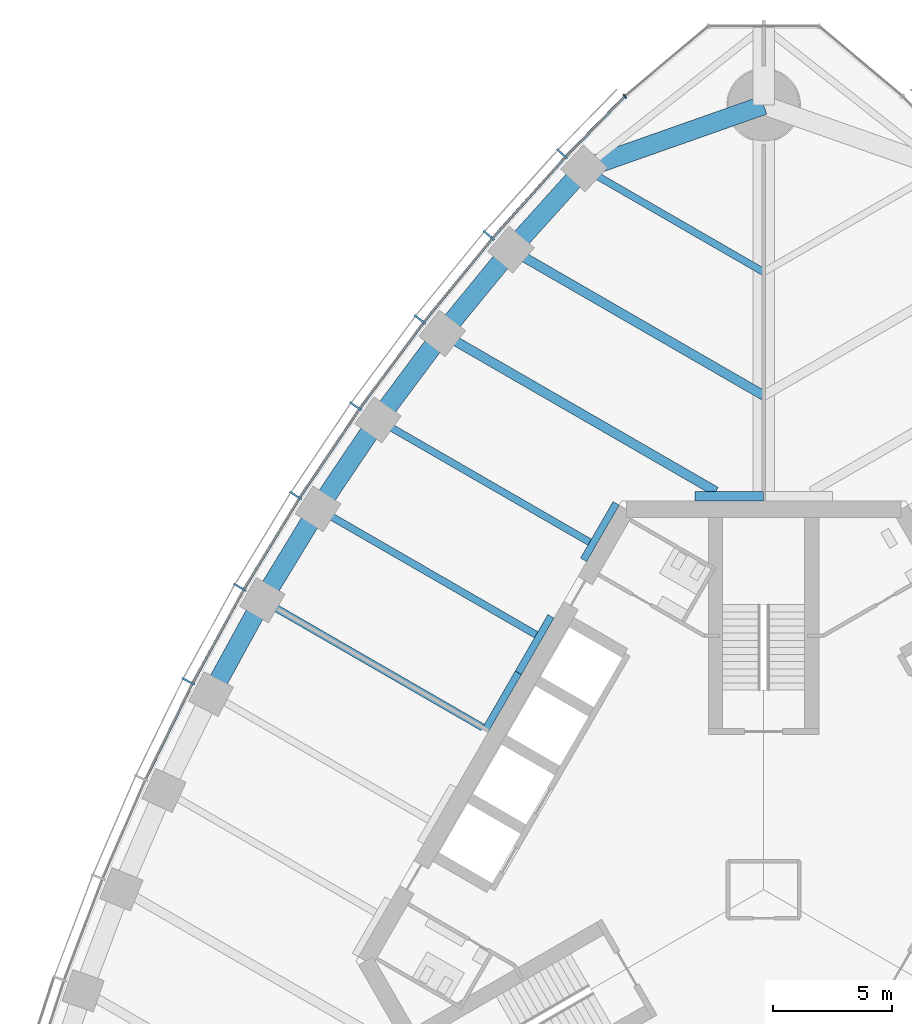
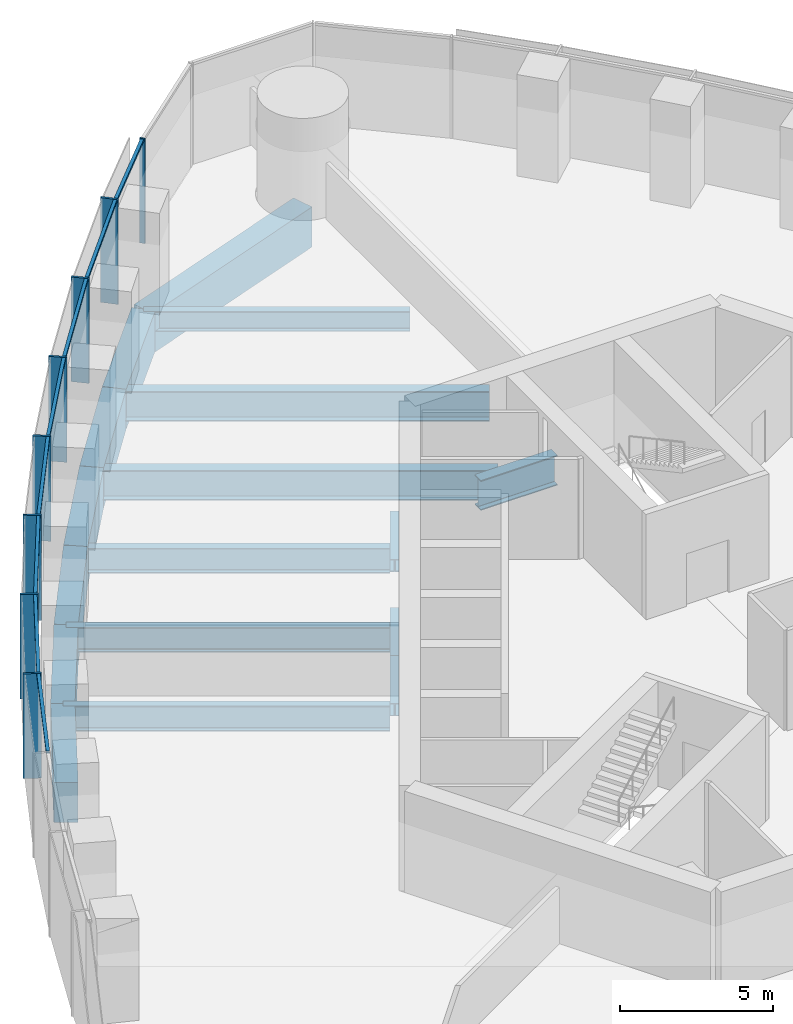
# One storey, part 5 of 18: 17 beams, 16 members, 2 elements without a shape of their own.
"""IFC4 building model written with IfcOpenShell, lengths in metres."""

from ifc_helpers import new_model, si_unit, direction, frame, origin, origin_2d, place, context, subcontext, project, spatial, rectangle, i_section, extrude, material, material_profile, profile_set, type_object, element, aggregate, save


model = new_model("IFC4")

# Units and contexts
model_context = context("Model", 3, precision=1e-05, world=origin(), true_north=direction((0.0, 1.0)))
body_context = subcontext(model_context, "Body", "Model", "MODEL_VIEW")
ifc_project = project(units=[si_unit("LENGTHUNIT", "METRE"), si_unit("AREAUNIT", "SQUARE_METRE"), si_unit("VOLUMEUNIT", "CUBIC_METRE"), si_unit("PLANEANGLEUNIT", "RADIAN"), si_unit("MASSUNIT", "GRAM", prefix="KILO")], contexts=[model_context])

# Site, building, storey
site_placement = place(None, origin())
site = spatial("IfcSite", under=ifc_project, at=site_placement, CompositionType="ELEMENT")
building_placement = place(site_placement, origin())
building = spatial("IfcBuilding", under=site, at=building_placement, Name="Trefoil Bronze Tower", CompositionType="ELEMENT")
storey_placement = place(building_placement, frame((0.0, 0.0, 252.699951171875)))
storey = spatial("IfcBuildingStorey", under=building, at=storey_placement, Name="L58", CompositionType="ELEMENT", Elevation=252.699951171875)

# Curtain wall, members
ifc_material_1 = material(Name="Tinted solar-control glass", Category="glass")
curtain_wall_type_1 = type_object("IfcCurtainWallType", Name="Bronze office curtain wall", PredefinedType="USERDEFINED", material=ifc_material_1)
curtain_wall_1_placement = place(storey_placement, origin())
curtain_wall_1 = element("IfcCurtainWall", 1, at=curtain_wall_1_placement, inside=storey, type_object=curtain_wall_type_1, Name="CW-A L58 F3", ObjectType="CURTAIN WALL", PredefinedType="USERDEFINED")
ifc_material_2 = material(Name="Bronze-finish aluminium", Category="aluminium")
ifc_material_profile_1 = material_profile(ifc_material_2, rectangle(XDim=0.60009765625, YDim=0.080078125, at=origin_2d()), Name="CW-A mullion")
ifc_profile_set_1 = profile_set([ifc_material_profile_1], Name="Bronze-finish aluminium")
member_type_1 = type_object("IfcMemberType", Name="Bronze office curtain wall mullion", PredefinedType="MULLION", material=ifc_profile_set_1)
member_1_placement = place(storey_placement, frame((-8.482177734375, 30.95654296875, 0.0), z_axis=(0.0, 0.0, 1.0), x_axis=(0.729859580661, -0.683597098091, 0.0)))
member_1 = element("IfcMember", 2, at=member_1_placement, type_object=member_type_1, Name="CW-A L58 F3 mullion 2", PredefinedType="MULLION", context=body_context, shape_type="SweptSolid", body=[
    extrude(rectangle(XDim=0.60009765625, YDim=0.080078125, at=origin_2d()), origin(), (0.0, 0.0, 1.0), 4.179931640625),
])
member_2_placement = place(storey_placement, frame((-11.564697265625, 27.525146484375, 0.0), z_axis=(0.0, 0.0, 1.0), x_axis=(0.75935470958, -0.650676897576, 0.0)))
member_2 = element("IfcMember", 3, at=member_2_placement, type_object=member_type_1, Name="CW-A L58 F3 mullion 3", PredefinedType="MULLION", context=body_context, shape_type="SweptSolid", body=[
    extrude(rectangle(XDim=0.60009765625, YDim=0.080078125, at=origin_2d()), origin(), (0.0, 0.0, 1.0), 4.179931640625),
])
member_3_placement = place(storey_placement, frame((-14.45849609375, 23.98388671875, 0.0), z_axis=(0.0, 0.0, 1.0), x_axis=(0.788821461078, -0.614622406476, 0.0)))
member_3 = element("IfcMember", 4, at=member_3_placement, type_object=member_type_1, Name="CW-A L58 F3 mullion 4", PredefinedType="MULLION", context=body_context, shape_type="SweptSolid", body=[
    extrude(rectangle(XDim=0.60009765625, YDim=0.080078125, at=origin_2d()), origin(), (0.0, 0.0, 1.0), 4.179931640625),
])
member_4_placement = place(storey_placement, frame((-17.167236328125, 20.335693359375, 0.0), z_axis=(0.0, 0.0, 1.0), x_axis=(0.81640398396, -0.577481198806, 0.0)))
member_4 = element("IfcMember", 5, at=member_4_placement, type_object=member_type_1, Name="CW-A L58 F3 mullion 5", PredefinedType="MULLION", context=body_context, shape_type="SweptSolid", body=[
    extrude(rectangle(XDim=0.60009765625, YDim=0.080078125, at=origin_2d()), origin(), (0.0, 0.0, 1.0), 4.179931640625),
])
member_5_placement = place(storey_placement, frame((-19.694091796875, 16.58251953125, 0.0), z_axis=(0.0, 0.0, 1.0), x_axis=(0.842132664593, -0.539270410114, 0.0)))
member_5 = element("IfcMember", 6, at=member_5_placement, type_object=member_type_1, Name="CW-A L58 F3 mullion 6", PredefinedType="MULLION", context=body_context, shape_type="SweptSolid", body=[
    extrude(rectangle(XDim=0.60009765625, YDim=0.080078125, at=origin_2d()), origin(), (0.0, 0.0, 1.0), 4.179931640625),
])
member_6_placement = place(storey_placement, frame((-22.041015625, 12.725341796875, 0.0), z_axis=(0.0, 0.0, 1.0), x_axis=(0.866025403784, -0.5, 0.0)))
member_6 = element("IfcMember", 7, at=member_6_placement, type_object=member_type_1, Name="CW-A L58 F3 mullion 7", PredefinedType="MULLION", context=body_context, shape_type="SweptSolid", body=[
    extrude(rectangle(XDim=0.60009765625, YDim=0.080078125, at=origin_2d()), origin(), (0.0, 0.0, 1.0), 4.179931640625),
])
member_7_placement = place(storey_placement, frame((-24.2080078125, 8.764404296875, 0.0), z_axis=(0.0, 0.0, 1.0), x_axis=(0.888088206965, -0.459673075837, 0.0)))
member_7 = element("IfcMember", 8, at=member_7_placement, type_object=member_type_1, Name="CW-A L58 F3 mullion 8", PredefinedType="MULLION", context=body_context, shape_type="SweptSolid", body=[
    extrude(rectangle(XDim=0.60009765625, YDim=0.080078125, at=origin_2d()), origin(), (0.0, 0.0, 1.0), 4.179931640625),
])
ifc_material_3 = material(Name="Bronze-finish aluminium", Category="aluminium")
ifc_material_profile_2 = material_profile(ifc_material_3, rectangle(XDim=0.1201171875, YDim=0.10009765625, at=origin_2d()), Name="CW-A transom")
ifc_profile_set_2 = profile_set([ifc_material_profile_2], Name="Bronze-finish aluminium")
member_type_2 = type_object("IfcMemberType", Name="Bronze office curtain wall transom", PredefinedType="USERDEFINED", material=ifc_profile_set_2)
member_8_placement = place(storey_placement, frame((-5.873046875, 33.342529296875, 4.130126953125), z_axis=(-0.698646935368, -0.715466602785, 0.0), x_axis=(0.715466602785, -0.698646935368, 0.0)))
member_8 = element("IfcMember", 9, at=member_8_placement, type_object=member_type_2, Name="CW-A L58 F3 transom 1", ObjectType="TRANSOM", PredefinedType="USERDEFINED", context=body_context, shape_type="SweptSolid", body=[
    extrude(rectangle(XDim=0.1201171875, YDim=0.10009765625, at=origin_2d()), origin(), (0.0, 0.0, 1.0), 3.483642578125),
])
member_9_placement = place(storey_placement, frame((-8.364501953125, 30.78857421875, 4.130126953125), z_axis=(-0.66825109551, -0.743935799213, 0.0), x_axis=(0.743935799213, -0.66825109551, 0.0)))
member_9 = element("IfcMember", 10, at=member_9_placement, type_object=member_type_2, Name="CW-A L58 F3 transom 2", ObjectType="TRANSOM", PredefinedType="USERDEFINED", context=body_context, shape_type="SweptSolid", body=[
    extrude(rectangle(XDim=0.1201171875, YDim=0.10009765625, at=origin_2d()), origin(), (0.0, 0.0, 1.0), 4.519287109375),
])
member_10_placement = place(storey_placement, frame((-11.439453125, 27.3623046875, 4.130126953125), z_axis=(-0.632756871921, -0.774350528531, 0.0), x_axis=(0.774350528531, -0.632756871921, 0.0)))
member_10 = element("IfcMember", 11, at=member_10_placement, type_object=member_type_2, Name="CW-A L58 F3 transom 3", ObjectType="TRANSOM", PredefinedType="USERDEFINED", context=body_context, shape_type="SweptSolid", body=[
    extrude(rectangle(XDim=0.1201171875, YDim=0.10009765625, at=origin_2d()), origin(), (0.0, 0.0, 1.0), 4.4794921875),
])
member_11_placement = place(storey_placement, frame((-14.325927734375, 23.826904296875, 4.130126953125), z_axis=(-0.59614822717, -0.802874393191, 0.0), x_axis=(0.802874393191, -0.59614822717, 0.0)))
member_11 = element("IfcMember", 12, at=member_11_placement, type_object=member_type_2, Name="CW-A L58 F3 transom 4", ObjectType="TRANSOM", PredefinedType="USERDEFINED", context=body_context, shape_type="SweptSolid", body=[
    extrude(rectangle(XDim=0.1201171875, YDim=0.10009765625, at=origin_2d()), origin(), (0.0, 0.0, 1.0), 4.449951171875),
])
member_12_placement = place(storey_placement, frame((-17.027587890625, 20.18505859375, 4.130126953125), z_axis=(-0.558509087547, -0.829498402125, 0.0), x_axis=(0.829498402125, -0.558509087547, 0.0)))
member_12 = element("IfcMember", 13, at=member_12_placement, type_object=member_type_2, Name="CW-A L58 F3 transom 5", ObjectType="TRANSOM", PredefinedType="USERDEFINED", context=body_context, shape_type="SweptSolid", body=[
    extrude(rectangle(XDim=0.1201171875, YDim=0.10009765625, at=origin_2d()), origin(), (0.0, 0.0, 1.0), 4.4306640625),
])
member_13_placement = place(storey_placement, frame((-19.5478515625, 16.4384765625, 4.130126953125), z_axis=(-0.519740214649, -0.854324358354, 0.0), x_axis=(0.854324358354, -0.519740214649, 0.0)))
member_13 = element("IfcMember", 14, at=member_13_placement, type_object=member_type_2, Name="CW-A L58 F3 transom 6", ObjectType="TRANSOM", PredefinedType="USERDEFINED", context=body_context, shape_type="SweptSolid", body=[
    extrude(rectangle(XDim=0.1201171875, YDim=0.10009765625, at=origin_2d()), origin(), (0.0, 0.0, 1.0), 4.421142578125),
])
member_14_placement = place(storey_placement, frame((-21.887939453125, 12.588134765625, 4.130126953125), z_axis=(-0.479973729071, -0.877282861683, 0.0), x_axis=(0.877282861683, -0.479973729071, 0.0)))
member_14 = element("IfcMember", 15, at=member_14_placement, type_object=member_type_2, Name="CW-A L58 F3 transom 7", ObjectType="TRANSOM", PredefinedType="USERDEFINED", context=body_context, shape_type="SweptSolid", body=[
    extrude(rectangle(XDim=0.1201171875, YDim=0.10009765625, at=origin_2d()), origin(), (0.0, 0.0, 1.0), 4.421142578125),
])
member_15_placement = place(storey_placement, frame((-24.048828125, 8.634521484375, 4.130126953125), z_axis=(-0.439150835991, -0.898413347657, 0.0), x_axis=(0.898413347657, -0.439150835991, 0.0)))
member_15 = element("IfcMember", 16, at=member_15_placement, type_object=member_type_2, Name="CW-A L58 F3 transom 8", ObjectType="TRANSOM", PredefinedType="USERDEFINED", context=body_context, shape_type="SweptSolid", body=[
    extrude(rectangle(XDim=0.1201171875, YDim=0.10009765625, at=origin_2d()), origin(), (0.0, 0.0, 1.0), 4.430908203125),
])
aggregate(curtain_wall_1, [member_1, member_2, member_3, member_4, member_5, member_6, member_7, member_8, member_9, member_10, member_11, member_12, member_13, member_14, member_15])

# Curtain wall, member
ifc_material_4 = material(Name="Tinted solar-control glass", Category="glass")
curtain_wall_type_2 = type_object("IfcCurtainWallType", Name="Bronze rounded corner curtain wall", PredefinedType="USERDEFINED", material=ifc_material_4)
curtain_wall_2_placement = place(storey_placement, origin())
curtain_wall_2 = element("IfcCurtainWall", 17, at=curtain_wall_2_placement, inside=storey, type_object=curtain_wall_type_2, Name="CW-B L58 K2", ObjectType="CURTAIN WALL", PredefinedType="USERDEFINED")
ifc_material_5 = material(Name="Bronze-finish aluminium", Category="aluminium")
ifc_material_profile_3 = material_profile(ifc_material_5, rectangle(XDim=0.199951171875, YDim=0.06005859375, at=origin_2d()), Name="CW-B mullion")
ifc_profile_set_3 = profile_set([ifc_material_profile_3], Name="Bronze-finish aluminium")
member_type_3 = type_object("IfcMemberType", Name="Bronze rounded corner curtain wall mullion", PredefinedType="MULLION", material=ifc_profile_set_3)
member_16_placement = place(storey_placement, frame((-5.837890625, 33.3779296875, 0.0), z_axis=(0.0, 0.0, 1.0), x_axis=(0.642787609687, -0.766044443119, 0.0)))
member_16 = element("IfcMember", 18, at=member_16_placement, type_object=member_type_3, Name="CW-B L58 K2 mullion 4", PredefinedType="MULLION", context=body_context, shape_type="SweptSolid", body=[
    extrude(rectangle(XDim=0.199951171875, YDim=0.06005859375, at=origin_2d()), origin(), (0.0, 0.0, 1.0), 4.179931640625),
])
aggregate(curtain_wall_2, [member_16])

# Beams
ifc_material_6 = material(Name="Steel C355", Category="steel")
ifc_material_profile_4 = material_profile(ifc_material_6, i_section(OverallWidth=0.300048828125, OverallDepth=0.5, WebThickness=0.014404296875, FlangeThickness=0.028076171875, FilletRadius=0.027099609375, at=origin_2d()), Name="HEB 500")
ifc_profile_set_4 = profile_set([ifc_material_profile_4], Name="Steel C355")
beam_type_1 = type_object("IfcBeamType", Name="Core seat beam HEB 500", PredefinedType="BEAM", material=ifc_profile_set_4)
for number, where, z_axis, x_axis, name in (
    (19, (-6.20654296875, 16.25, -0.449951171875), (-0.499969057507, -0.866043267704, 0.0), (0.866043267704, -0.499969057507, 0.0), "Core seat beam F3/-2 L58"),
    (20, (-8.948974609375, 11.5, -0.449951171875), (-0.499969057507, -0.866043267704, 0.0), (0.866043267704, -0.499969057507, 0.0), "Core seat beam F3/-1 L58"),
    (21, (-10.320068359375, 9.125, -0.449951171875), (-0.500035825175, -0.866004719122, 0.0), (0.866004719122, -0.500035825175, 0.0), "Core seat beam F3/+0 L58"),
):
    element("IfcBeam", number, at=place(storey_placement, frame(where, z_axis=z_axis, x_axis=x_axis)), inside=storey, type_object=beam_type_1, Name=name, PredefinedType="BEAM", context=body_context, shape_type="SweptSolid", body=[
        extrude(i_section(OverallWidth=0.300048828125, OverallDepth=0.5, WebThickness=0.014404296875, FlangeThickness=0.028076171875, FilletRadius=0.027099609375, at=origin_2d()), origin(), (0.0, 0.0, 1.0), 2.742431640625),
    ])
ifc_material_7 = material(Name="Steel C355", Category="steel")
ifc_material_profile_5 = material_profile(ifc_material_7, i_section(OverallWidth=0.39990234375, OverallDepth=1.199951171875, WebThickness=0.02001953125, FlangeThickness=0.0400390625, FilletRadius=0.010009765625, at=origin_2d()), Name="WPG 1200")
ifc_profile_set_5 = profile_set([ifc_material_profile_5], Name="Steel C355")
beam_type_2 = type_object("IfcBeamType", Name="Core seat beam WPG 1200", PredefinedType="BEAM", material=ifc_profile_set_5)
beam_1_placement = place(storey_placement, frame((0.0, 16.550048828125, -0.800048828125), z_axis=(-1.0, 0.0, 0.0), x_axis=(0.0, -1.0, 0.0)))
element("IfcBeam", 22, at=beam_1_placement, inside=storey, type_object=beam_type_2, Name="Core seat beam F3/-3 L58", PredefinedType="BEAM", context=body_context, shape_type="SweptSolid", body=[
    extrude(i_section(OverallWidth=0.39990234375, OverallDepth=1.199951171875, WebThickness=0.02001953125, FlangeThickness=0.0400390625, FilletRadius=0.010009765625, at=origin_2d()), origin(), (0.0, 0.0, 1.0), 2.88671875),
])
ifc_material_8 = material(Name="Concrete B80", Category="concrete")
ifc_material_profile_6 = material_profile(ifc_material_8, rectangle(XDim=0.800048828125, YDim=1.60009765625, at=origin_2d()), Name="RC 800x1600")
ifc_profile_set_6 = profile_set([ifc_material_profile_6], Name="Concrete B80")
beam_type_3 = type_object("IfcBeamType", Name="End spandrel beam RC 800x1600", PredefinedType="SPANDREL", material=ifc_profile_set_6)
beam_2_placement = place(storey_placement, frame((0.0, 33.0, -1.0), z_axis=(-0.943234397359, -0.332127794137, 0.0), x_axis=(0.332127794137, -0.943234397359, 0.0)))
element("IfcBeam", 23, at=beam_2_placement, inside=storey, type_object=beam_type_3, Name="Spandrel F3.1 L58", PredefinedType="SPANDREL", context=body_context, shape_type="SweptSolid", body=[
    extrude(rectangle(XDim=0.800048828125, YDim=1.60009765625, at=origin_2d()), origin(), (0.0, 0.0, 1.0), 8.006591796875),
])
ifc_material_9 = material(Name="Steel C355", Category="steel")
ifc_material_profile_7 = material_profile(ifc_material_9, i_section(OverallWidth=0.300048828125, OverallDepth=1.0, WebThickness=0.01904296875, FlangeThickness=0.035888671875, FilletRadius=0.030029296875, at=origin_2d()), Name="HEB 1000")
ifc_profile_set_7 = profile_set([ifc_material_profile_7], Name="Steel C355")
beam_type_4 = type_object("IfcBeamType", Name="Floor beam HEB 1000", PredefinedType="BEAM", material=ifc_profile_set_7)
beam_3_placement = place(storey_placement, frame((-16.2265625, 19.7607421875, -0.699951171875), z_axis=(0.866019527493, -0.500010177898, 0.0), x_axis=(0.500010177898, 0.866019527493, 0.0)))
element("IfcBeam", 24, at=beam_3_placement, inside=storey, type_object=beam_type_4, Name="Floor beam F3/-2 L58", PredefinedType="BEAM", context=body_context, shape_type="SweptSolid", body=[
    extrude(i_section(OverallWidth=0.300048828125, OverallDepth=1.0, WebThickness=0.01904296875, FlangeThickness=0.035888671875, FilletRadius=0.030029296875, at=origin_2d()), origin(), (0.0, 0.0, 1.0), 10.282958984375),
])
ifc_material_10 = material(Name="Steel C355", Category="steel")
ifc_material_profile_8 = material_profile(ifc_material_10, i_section(OverallWidth=0.300048828125, OverallDepth=0.800048828125, WebThickness=0.017578125, FlangeThickness=0.032958984375, FilletRadius=0.030029296875, at=origin_2d()), Name="HEB 800")
ifc_profile_set_8 = profile_set([ifc_material_profile_8], Name="Steel C355")
beam_type_5 = type_object("IfcBeamType", Name="Floor beam HEB 800", PredefinedType="BEAM", material=ifc_profile_set_8)
beam_4_placement = place(storey_placement, frame((-7.552001953125, 30.3408203125, -0.599853515625), z_axis=(0.866027535932, -0.499996306993, 0.0), x_axis=(0.499996306993, 0.866027535932, 0.0)))
element("IfcBeam", 25, at=beam_4_placement, inside=storey, type_object=beam_type_5, Name="Floor beam F3/-5 L58", PredefinedType="BEAM", context=body_context, shape_type="SweptSolid", body=[
    extrude(i_section(OverallWidth=0.300048828125, OverallDepth=0.800048828125, WebThickness=0.017578125, FlangeThickness=0.032958984375, FilletRadius=0.030029296875, at=origin_2d()), origin(), (0.0, 0.0, 1.0), 8.72021484375),
])
ifc_material_11 = material(Name="Steel C355", Category="steel")
ifc_material_profile_9 = material_profile(ifc_material_11, i_section(OverallWidth=0.302001953125, OverallDepth=1.008056640625, WebThickness=0.02099609375, FlangeThickness=0.0400390625, FilletRadius=0.030029296875, at=origin_2d()), Name="HEM 1000")
ifc_profile_set_9 = profile_set([ifc_material_profile_9], Name="Steel C355")
beam_type_6 = type_object("IfcBeamType", Name="Floor beam HEM 1000", PredefinedType="BEAM", material=ifc_profile_set_9)
beam_5_placement = place(storey_placement, frame((-18.748046875, 16.020263671875, -0.703857421875), z_axis=(0.86602981261, -0.499992363612, 0.0), x_axis=(0.499992363612, 0.86602981261, 0.0)))
element("IfcBeam", 26, at=beam_5_placement, inside=storey, type_object=beam_type_6, Name="Floor beam F3/-1 L58", PredefinedType="BEAM", context=body_context, shape_type="SweptSolid", body=[
    extrude(i_section(OverallWidth=0.302001953125, OverallDepth=1.008056640625, WebThickness=0.02099609375, FlangeThickness=0.0400390625, FilletRadius=0.030029296875, at=origin_2d()), origin(), (0.0, 0.0, 1.0), 10.596435546875),
])
beam_6_placement = place(storey_placement, frame((-21.08837890625, 12.17529296875, -0.703857421875), z_axis=(0.86602601154, -0.499998947334, 0.0), x_axis=(0.499998947334, 0.86602601154, 0.0)))
element("IfcBeam", 27, at=beam_6_placement, inside=storey, type_object=beam_type_6, Name="Floor beam F3/+0 L58", PredefinedType="BEAM", context=body_context, shape_type="SweptSolid", body=[
    extrude(i_section(OverallWidth=0.302001953125, OverallDepth=1.008056640625, WebThickness=0.02099609375, FlangeThickness=0.0400390625, FilletRadius=0.030029296875, at=origin_2d()), origin(), (0.0, 0.0, 1.0), 10.70068359375),
])
ifc_material_12 = material(Name="Steel C355", Category="steel")
ifc_material_profile_10 = material_profile(ifc_material_12, i_section(OverallWidth=0.39990234375, OverallDepth=1.199951171875, WebThickness=0.02001953125, FlangeThickness=0.0400390625, FilletRadius=0.010009765625, at=origin_2d()), Name="WPG 1200")
ifc_profile_set_10 = profile_set([ifc_material_profile_10], Name="Steel C355")
beam_type_7 = type_object("IfcBeamType", Name="Floor beam WPG 1200", PredefinedType="BEAM", material=ifc_profile_set_10)
beam_7_placement = place(storey_placement, frame((-10.632080078125, 26.923095703125, -0.800048828125), z_axis=(0.866025635187, -0.499999599199, 0.0), x_axis=(0.499999599199, 0.866025635187, 0.0)))
element("IfcBeam", 28, at=beam_7_placement, inside=storey, type_object=beam_type_7, Name="Floor beam F3/-4 L58", PredefinedType="BEAM", context=body_context, shape_type="SweptSolid", body=[
    extrude(i_section(OverallWidth=0.39990234375, OverallDepth=1.199951171875, WebThickness=0.02001953125, FlangeThickness=0.0400390625, FilletRadius=0.010009765625, at=origin_2d()), origin(), (0.0, 0.0, 1.0), 12.27685546875),
])
beam_8_placement = place(storey_placement, frame((-13.522216796875, 23.3955078125, -0.800048828125), z_axis=(0.866023461342, -0.500003364394, 0.0), x_axis=(0.500003364394, 0.866023461342, 0.0)))
element("IfcBeam", 29, at=beam_8_placement, inside=storey, type_object=beam_type_7, Name="Floor beam F3/-3 L58", PredefinedType="BEAM", context=body_context, shape_type="SweptSolid", body=[
    extrude(i_section(OverallWidth=0.39990234375, OverallDepth=1.199951171875, WebThickness=0.02001953125, FlangeThickness=0.0400390625, FilletRadius=0.010009765625, at=origin_2d()), origin(), (0.0, 0.0, 1.0), 13.291015625),
])
ifc_material_13 = material(Name="Concrete B80", Category="concrete")
ifc_material_profile_11 = material_profile(ifc_material_13, rectangle(XDim=0.800048828125, YDim=1.60009765625, at=origin_2d()), Name="RC 800x1600")
ifc_profile_set_11 = profile_set([ifc_material_profile_11], Name="Concrete B80")
beam_type_8 = type_object("IfcBeamType", Name="Spandrel beam RC 800x1600", PredefinedType="SPANDREL", material=ifc_profile_set_11)
beam_9_placement = place(storey_placement, frame((-7.552001953125, 30.3408203125, -1.0), z_axis=(-0.669460045872, -0.742848064534, 0.0), x_axis=(0.742848064534, -0.669460045872, 0.0)))
element("IfcBeam", 30, at=beam_9_placement, inside=storey, type_object=beam_type_8, Name="Spandrel F3.2 L58", PredefinedType="SPANDREL", context=body_context, shape_type="SweptSolid", body=[
    extrude(rectangle(XDim=0.800048828125, YDim=1.60009765625, at=origin_2d()), origin(), (0.0, 0.0, 1.0), 4.600830078125),
])
beam_10_placement = place(storey_placement, frame((-10.632080078125, 26.923095703125, -1.0), z_axis=(-0.633753657863, -0.773534938542, 0.0), x_axis=(0.773534938542, -0.633753657863, 0.0)))
element("IfcBeam", 31, at=beam_10_placement, inside=storey, type_object=beam_type_8, Name="Spandrel F3.3 L58", PredefinedType="SPANDREL", context=body_context, shape_type="SweptSolid", body=[
    extrude(rectangle(XDim=0.800048828125, YDim=1.60009765625, at=origin_2d()), origin(), (0.0, 0.0, 1.0), 4.560302734375),
])
beam_11_placement = place(storey_placement, frame((-13.522216796875, 23.3955078125, -1.0), z_axis=(-0.596926078257, -0.802296240236, 0.0), x_axis=(0.802296240236, -0.596926078257, 0.0)))
element("IfcBeam", 32, at=beam_11_placement, inside=storey, type_object=beam_type_8, Name="Spandrel F3.4 L58", PredefinedType="SPANDREL", context=body_context, shape_type="SweptSolid", body=[
    extrude(rectangle(XDim=0.800048828125, YDim=1.60009765625, at=origin_2d()), origin(), (0.0, 0.0, 1.0), 4.530517578125),
])
beam_12_placement = place(storey_placement, frame((-16.2265625, 19.7607421875, -1.0), z_axis=(-0.558964302753, -0.829191719838, 0.0), x_axis=(0.829191719838, -0.558964302753, 0.0)))
element("IfcBeam", 33, at=beam_12_placement, inside=storey, type_object=beam_type_8, Name="Spandrel F3.5 L58", PredefinedType="SPANDREL", context=body_context, shape_type="SweptSolid", body=[
    extrude(rectangle(XDim=0.800048828125, YDim=1.60009765625, at=origin_2d()), origin(), (0.0, 0.0, 1.0), 4.510986328125),
])
for number, where, z_axis, x_axis, name in (
    (34, (-18.748046875, 16.020263671875, -1.0), (-0.519933181394, -0.854206934464, 0.0), (0.854206934464, -0.519933181394, 0.0), "Spandrel F3.6 L58"),
    (35, (-21.08837890625, 12.17529296875, -1.0), (-0.479801903802, -0.87737684783, 0.0), (0.87737684783, -0.479801903802, 0.0), "Spandrel F3.7 L58"),
):
    element("IfcBeam", number, at=place(storey_placement, frame(where, z_axis=z_axis, x_axis=x_axis)), inside=storey, type_object=beam_type_8, Name=name, PredefinedType="SPANDREL", context=body_context, shape_type="SweptSolid", body=[
        extrude(rectangle(XDim=0.800048828125, YDim=1.60009765625, at=origin_2d()), origin(), (0.0, 0.0, 1.0), 4.501220703125),
    ])

save(model, "model.ifc")
